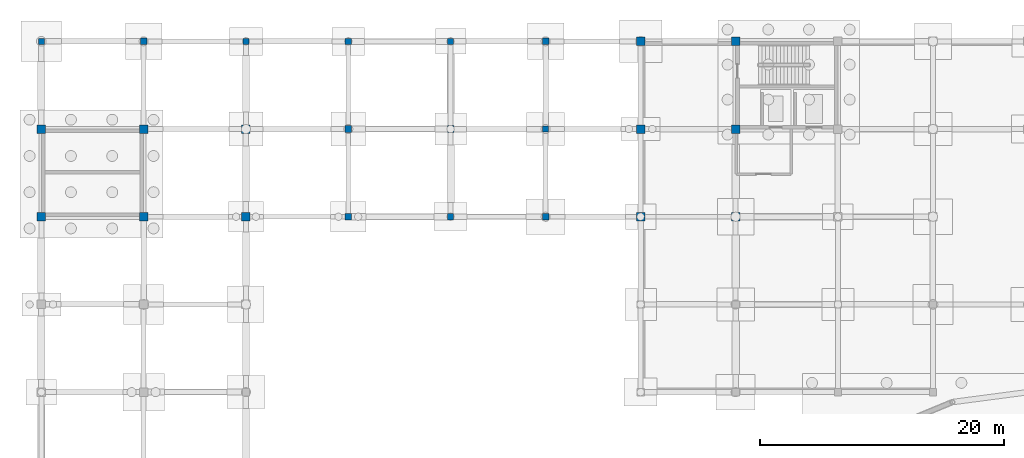
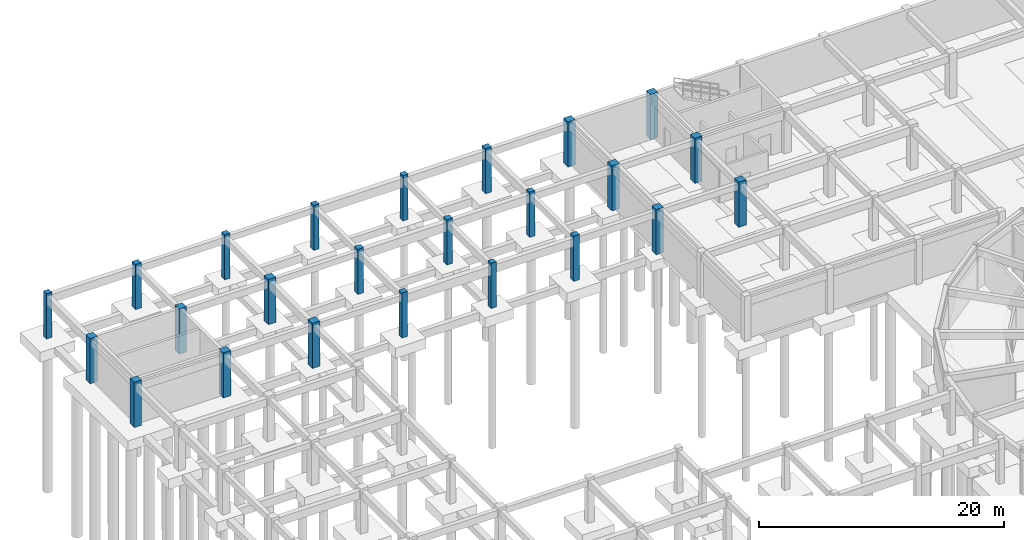
# One storey, part 18 of 43: 24 columns.
"""IFC4 building model written with IfcOpenShell, lengths in metres."""

from ifc_helpers import new_model, si_unit, derived_unit, direction, frame, origin, origin_2d, place, context, subcontext, project, spatial, rectangle, extrude, material, material_profile, profile_set, type_object, element, save


model = new_model("IFC4")

# Units and contexts
model_context = context("Model", 3, precision=1e-05, world=origin(), true_north=direction((0.0, 1.0)))
body_context = subcontext(model_context, "Body", "Model", "MODEL_VIEW")
ifc_project = project(units=[si_unit("LENGTHUNIT", "METRE"), si_unit("AREAUNIT", "SQUARE_METRE"), si_unit("VOLUMEUNIT", "CUBIC_METRE"), si_unit("PLANEANGLEUNIT", "RADIAN"), si_unit("MASSUNIT", "GRAM", prefix="KILO"), derived_unit("THERMALTRANSMITTANCEUNIT", [(si_unit("POWERUNIT", "WATT"), 1), (si_unit("AREAUNIT", "SQUARE_METRE"), -1), (si_unit("THERMODYNAMICTEMPERATUREUNIT", "KELVIN"), -1)])], contexts=[model_context])

# Site, building, storey
site_placement = place(None, origin())
site = spatial("IfcSite", under=ifc_project, at=site_placement, CompositionType="ELEMENT")
building_placement = place(site_placement, origin())
building = spatial("IfcBuilding", under=site, at=building_placement, Name="Yasenodar Specialist Clinic", CompositionType="ELEMENT")
storey_placement = place(building_placement, frame((0.0, 0.0, -4.5)))
storey = spatial("IfcBuildingStorey", under=building, at=storey_placement, Name="B1", CompositionType="ELEMENT", Elevation=-4.5)

# Columns
ifc_material = material(Name="Concrete C35/45", Category="concrete")
ifc_material_profile_1 = material_profile(ifc_material, rectangle(XDim=0.5, YDim=0.5, at=origin_2d()), Name="RC 500x500")
ifc_profile_set_1 = profile_set([ifc_material_profile_1], Name="Concrete C35/45")
column_type_1 = type_object("IfcColumnType", Name="COL-RC-500", PredefinedType="COLUMN", material=ifc_profile_set_1)
for number, where, z_axis, x_axis, name in (
    (1, (0.0, 111.60009765625, 0.0), (0.0, 0.0, 1.0), (1.0, 0.0, 0.0), "B1 Column V4-015"),
    (2, (16.800048828125, 111.60009765625, 0.0), (0.0, 0.0, 1.0), (1.0, 0.0, 0.0), "B1 Column V4-045"),
    (3, (25.199951171875, 97.199951171875, 0.0), (0.0, 0.0, 1.0), (1.0, 0.0, 0.0), "B1 Column V4-055"),
    (4, (25.199951171875, 111.60009765625, 0.0), (0.0, 0.0, 1.0), (1.0, 0.0, 0.0), "B1 Column V4-057"),
    (5, (33.60009765625, 97.199951171875, 0.0), (0.0, 0.0, 1.0), (1.0, 0.0, 0.0), "B1 Column V4-069"),
    (6, (33.60009765625, 111.60009765625, 0.0), (0.0, 0.0, 1.0), (1.0, 0.0, 0.0), "B1 Column V4-071"),
    (7, (41.39990234375, 104.39990234375, 0.0), (0.0, 0.0, 1.0), (1.0, 0.0, 0.0), "B1 Column V4-077"),
):
    element("IfcColumn", number, at=place(storey_placement, frame(where, z_axis=z_axis, x_axis=x_axis)), inside=storey, type_object=column_type_1, Name=name, PredefinedType="COLUMN", context=body_context, shape_type="SweptSolid", body=[
        extrude(rectangle(XDim=0.5, YDim=0.5, at=origin_2d()), origin(), (0.0, 0.0, 1.0), 4.5),
    ])
ifc_material_profile_2 = material_profile(ifc_material, rectangle(XDim=0.550048828125, YDim=0.550048828125, at=origin_2d()), Name="RC 550x550")
ifc_profile_set_2 = profile_set([ifc_material_profile_2], Name="Concrete C35/45")
column_type_2 = type_object("IfcColumnType", Name="COL-RC-550", PredefinedType="COLUMN", material=ifc_profile_set_2)
for number, where, z_axis, x_axis, name in (
    (8, (8.39990234375, 111.60009765625, 0.0), (0.0, 0.0, 1.0), (1.0, 0.0, 0.0), "B1 Column V4-030"),
    (9, (25.199951171875, 104.39990234375, 0.0), (0.0, 0.0, 1.0), (1.0, 0.0, 0.0), "B1 Column V4-056"),
    (10, (33.60009765625, 104.39990234375, 0.0), (0.0, 0.0, 1.0), (1.0, 0.0, 0.0), "B1 Column V4-070"),
    (11, (41.39990234375, 97.199951171875, 0.0), (0.0, 0.0, 1.0), (1.0, 0.0, 0.0), "B1 Column V4-076"),
    (12, (41.39990234375, 111.60009765625, 0.0), (0.0, 0.0, 1.0), (1.0, 0.0, 0.0), "B1 Column V4-078"),
):
    element("IfcColumn", number, at=place(storey_placement, frame(where, z_axis=z_axis, x_axis=x_axis)), inside=storey, type_object=column_type_2, Name=name, PredefinedType="COLUMN", context=body_context, shape_type="SweptSolid", body=[
        extrude(rectangle(XDim=0.550048828125, YDim=0.550048828125, at=origin_2d()), origin(), (0.0, 0.0, 1.0), 4.5),
    ])
ifc_material_profile_3 = material_profile(ifc_material, rectangle(XDim=0.699951171875, YDim=0.699951171875, at=origin_2d()), Name="RC 700x700")
ifc_profile_set_3 = profile_set([ifc_material_profile_3], Name="Concrete C35/45")
column_type_3 = type_object("IfcColumnType", Name="COL-RC-700", PredefinedType="COLUMN", material=ifc_profile_set_3)
for number, where, z_axis, x_axis, name in (
    (13, (0.0, 97.199951171875, 0.0), (0.0, 0.0, 1.0), (1.0, 0.0, 0.0), "B1 Column V4-013"),
    (14, (0.0, 104.39990234375, 0.0), (0.0, 0.0, 1.0), (1.0, 0.0, 0.0), "B1 Column V4-014"),
    (15, (8.39990234375, 97.199951171875, 0.0), (0.0, 0.0, 1.0), (1.0, 0.0, 0.0), "B1 Column V4-028"),
    (16, (8.39990234375, 104.39990234375, 0.0), (0.0, 0.0, 1.0), (1.0, 0.0, 0.0), "B1 Column V4-029"),
    (17, (16.800048828125, 97.199951171875, 0.0), (0.0, 0.0, 1.0), (1.0, 0.0, 0.0), "B1 Column V4-043"),
    (18, (16.800048828125, 104.39990234375, 0.0), (0.0, 0.0, 1.0), (1.0, 0.0, 0.0), "B1 Column V4-044"),
    (19, (49.199951171875, 97.199951171875, 0.0), (0.0, 0.0, 1.0), (1.0, 0.0, 0.0), "B1 Column V5-083"),
    (20, (49.199951171875, 104.39990234375, 0.0), (0.0, 0.0, 1.0), (1.0, 0.0, 0.0), "B1 Column V5-084"),
    (21, (49.199951171875, 111.60009765625, 0.0), (0.0, 0.0, 1.0), (1.0, 0.0, 0.0), "B1 Column V5-085"),
    (22, (57.0, 97.199951171875, 0.0), (0.0, 0.0, 1.0), (1.0, 0.0, 0.0), "B1 Column V5-090"),
    (23, (57.0, 104.39990234375, 0.0), (0.0, 0.0, 1.0), (1.0, 0.0, 0.0), "B1 Column V5-091"),
    (24, (57.0, 111.60009765625, 0.0), (0.0, 0.0, 1.0), (1.0, 0.0, 0.0), "B1 Column V5-092"),
):
    element("IfcColumn", number, at=place(storey_placement, frame(where, z_axis=z_axis, x_axis=x_axis)), inside=storey, type_object=column_type_3, Name=name, PredefinedType="COLUMN", context=body_context, shape_type="SweptSolid", body=[
        extrude(rectangle(XDim=0.699951171875, YDim=0.699951171875, at=origin_2d()), origin(), (0.0, 0.0, 1.0), 4.5),
    ])

save(model, "model.ifc")
